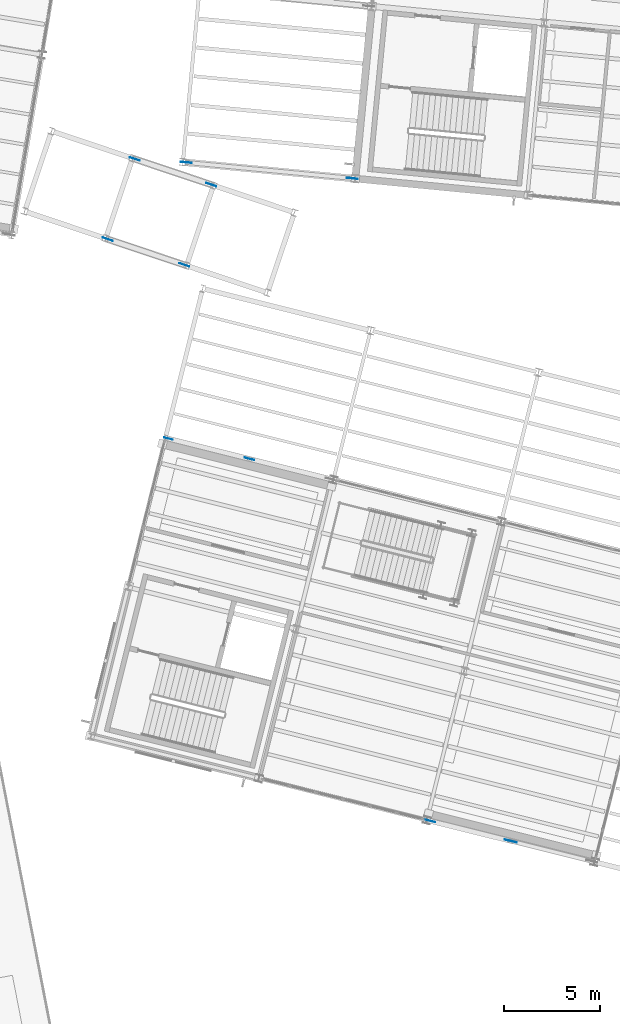
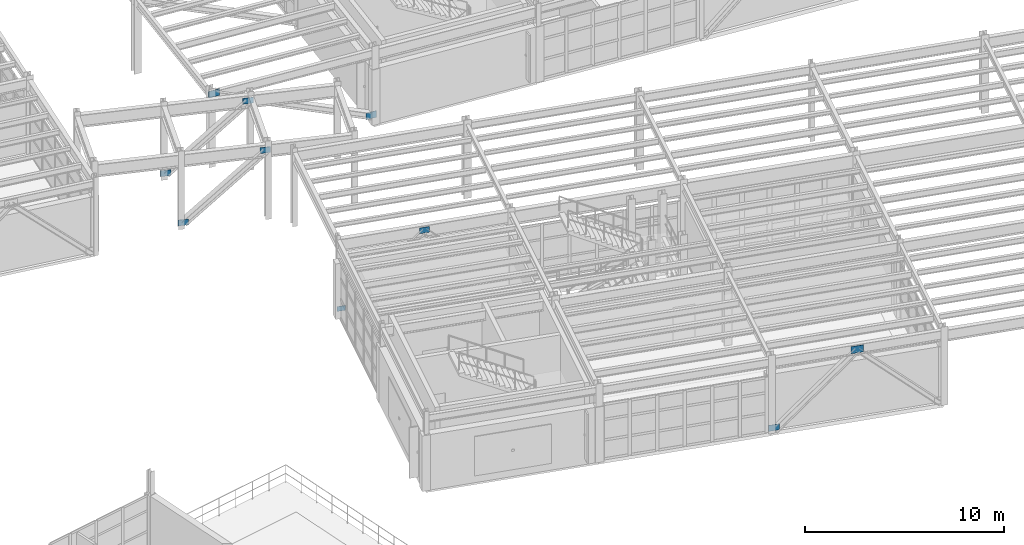
# One storey, part 80 of 109: 10 plates.
"""IFC4 building model written with IfcOpenShell, lengths in metres."""

import ifcopenshell
import ifcopenshell.guid

model = None  # the IFC model being written
_history = None  # IfcOwnerHistory: only IFC2X3 demands one
_inside = {}  # id of a spatial element -> (the spatial element, [elements in it])
_under = {}  # id of a project, library or spatial element -> (it, [spatial elements below it])
_declared = {}  # id of a project -> (the project, [libraries it declares])
_typed = {}  # id of a type object -> (the type object, [elements of that type])
_made_of = {}  # id of a material, layer set ... -> (it, [elements and type objects made of it])


def new_model(schema):
    """Start an empty IFC model of exactly this schema.

    Asked for "IFC4X3", IfcOpenShell would pick the latest addendum, in which some entities
    have other attributes; the version numbers below select the first issue.
    IFC2X3 requires an IfcOwnerHistory on every rooted entity: one is made here for all.
    """
    global model, _history
    if schema == "IFC4X3":
        model = ifcopenshell.file(schema_version=(4, 3, 0, 0))
    else:
        model = ifcopenshell.file(schema=schema)
    _inside.clear()
    _under.clear()
    _declared.clear()
    _typed.clear()
    _made_of.clear()
    _history = None
    if model.schema == "IFC2X3":
        org = make("IfcOrganization", Name="unknown")
        user = make(
            "IfcPersonAndOrganization",
            ThePerson=make("IfcPerson", FamilyName="unknown"),
            TheOrganization=org,
        )
        app = make(
            "IfcApplication",
            ApplicationDeveloper=org,
            Version="unknown",
            ApplicationFullName="unknown",
            ApplicationIdentifier="unknown",
        )
        _history = make(
            "IfcOwnerHistory",
            OwningUser=user,
            OwningApplication=app,
            ChangeAction="ADDED",
            CreationDate=0,
        )
    return model


def make(cls, **values):
    """One entity of the class cls with the attributes given. An attribute that is None is left unset."""
    return model.create_entity(
        cls, **{name: value for name, value in values.items() if value is not None}
    )


def rooted(cls, **values):
    """An entity with a GlobalId (a new one), such as an element, a storey or a relation."""
    return make(cls, GlobalId=ifcopenshell.guid.new(), OwnerHistory=_history, **values)


def si_unit(unit_type, name, prefix=None):
    """IfcSIUnit, for example si_unit("LENGTHUNIT", "METRE", prefix="MILLI")."""
    return make("IfcSIUnit", UnitType=unit_type, Prefix=prefix, Name=name)


def assignment(units):
    """IfcUnitAssignment: the units of a project."""
    return None if units is None else make("IfcUnitAssignment", Units=units)


def point(xyz):
    """IfcCartesianPoint."""
    return None if xyz is None else make("IfcCartesianPoint", Coordinates=xyz)


def direction(xyz):
    """IfcDirection."""
    return None if xyz is None else make("IfcDirection", DirectionRatios=xyz)


def frame(location, z_axis=None, x_axis=None):
    """IfcAxis2Placement3D, a coordinate frame: its origin and axes. An axis left out is left unset."""
    return make(
        "IfcAxis2Placement3D",
        Location=point(location),
        Axis=direction(z_axis),
        RefDirection=direction(x_axis),
    )


def frame_2d(location, x_axis=None):
    """IfcAxis2Placement2D, a coordinate frame in the plane: its origin and x axis."""
    return make(
        "IfcAxis2Placement2D", Location=point(location), RefDirection=direction(x_axis)
    )


def origin():
    """The frame at (0, 0, 0) with its axes left unset."""
    return frame((0.0, 0.0, 0.0))


def origin_2d():
    """The frame at (0, 0) in the plane with its x axis left unset."""
    return frame_2d((0.0, 0.0))


def place(relative_to, where):
    """IfcLocalPlacement: puts the frame where relative to a parent placement (None: the world)."""
    return make(
        "IfcLocalPlacement", PlacementRelTo=relative_to, RelativePlacement=where
    )


def context(
    kind, dimensions, precision=None, world=None, true_north=None, identifier=None
):
    """IfcGeometricRepresentationContext, for example the 3D "Model" context."""
    return make(
        "IfcGeometricRepresentationContext",
        ContextIdentifier=identifier,
        ContextType=kind,
        CoordinateSpaceDimension=dimensions,
        Precision=precision,
        WorldCoordinateSystem=world,
        TrueNorth=true_north,
    )


def subcontext(parent, identifier, kind, view, scale=None):
    """IfcGeometricRepresentationSubContext, for example "Body" below "Model"."""
    return make(
        "IfcGeometricRepresentationSubContext",
        ContextIdentifier=identifier,
        ContextType=kind,
        ParentContext=parent,
        TargetScale=scale,
        TargetView=view,
    )


def project(units=None, contexts=None):
    """IfcProject with its units and contexts."""
    return rooted(
        "IfcProject",
        Name="project",
        RepresentationContexts=contexts,
        UnitsInContext=assignment(units),
    )


def spatial(cls, under=None, at=None, **own):
    """A site, building, storey or space (cls), placed at a placement, below another one or the project."""
    s = rooted(cls, ObjectPlacement=at, **own)
    if under is not None:
        _under.setdefault(under.id(), (under, []))[1].append(s)
    return s


def profile(cls, at=None, kind="AREA", **sizes):
    """A parametric profile (cls). Its sizes go by their IFC names, for example OverallWidth=200.0."""
    return make(cls, ProfileType=kind, Position=at, **sizes)


def rectangle(**sizes):
    """IfcRectangleProfileDef."""
    return profile("IfcRectangleProfileDef", **sizes)


def extrude(swept, where, along, depth):
    """IfcExtrudedAreaSolid: the profile swept, set in the frame where, extruded along a direction by depth."""
    return make(
        "IfcExtrudedAreaSolid",
        SweptArea=swept,
        Position=where,
        ExtrudedDirection=direction(along),
        Depth=depth,
    )


def shape(context_of_items, identifier, shape_type, items):
    """IfcShapeRepresentation: the items that make up one representation, for example the "Body"."""
    return make(
        "IfcShapeRepresentation",
        ContextOfItems=context_of_items,
        RepresentationIdentifier=identifier,
        RepresentationType=shape_type,
        Items=items,
    )


def material(Name=None, Category=None):
    """IfcMaterial."""
    return make("IfcMaterial", Name=Name, Category=Category)


def layer(
    of_material, thickness, ventilated=None, Name=None, Category=None, Priority=None
):
    """IfcMaterialLayer: one layer of a wall or slab, of a material (None: an air gap)."""
    return make(
        "IfcMaterialLayer",
        Material=of_material,
        LayerThickness=thickness,
        IsVentilated=ventilated,
        Name=Name,
        Category=Category,
        Priority=Priority,
    )


def layer_set(layers, Name=None):
    """IfcMaterialLayerSet."""
    return make("IfcMaterialLayerSet", MaterialLayers=layers, LayerSetName=Name)


def made_of(thing, what):
    """Note that an element or type object is made of a material, layer set ...; save() writes the relation."""
    if what is not None:
        _made_of.setdefault(what.id(), (what, []))[1].append(thing)
    return thing


def type_object(cls, material=None, **own):
    """A type object (cls), such as IfcWallType, which elements share."""
    return made_of(rooted(cls, **own), material)


def element(
    cls,
    number,
    at=None,
    inside=None,
    cuts=None,
    type_object=None,
    material=None,
    context=None,
    identifier="Body",
    shape_type=None,
    held_by="IfcProductDefinitionShape",
    body=None,
    shapes=None,
    **own,
):
    """One element of the class cls, such as IfcWall. Its Tag is "e" and its number.

    at: its placement. inside: the storey or other place that contains it. cuts: it is an
    opening in that element (IfcRelVoidsElement). A single representation is given by context,
    identifier, shape_type and body (its items); several are given by shapes. held_by: the class
    of the entity that holds the representations. save() writes the other relations.
    """
    e = rooted(cls, Tag="e%d" % number, ObjectPlacement=at, **own)
    if body is not None:
        shapes = [shape(context, identifier, shape_type, body)]
    if shapes is not None:
        e.Representation = make(held_by, Representations=shapes)
    if inside is not None:
        _inside.setdefault(inside.id(), (inside, []))[1].append(e)
    if cuts is not None:
        rooted(
            "IfcRelVoidsElement", RelatingBuildingElement=cuts, RelatedOpeningElement=e
        )
    if type_object is not None:
        _typed.setdefault(type_object.id(), (type_object, []))[1].append(e)
    return made_of(e, material)


def aggregate(whole, parts):
    """IfcRelAggregates: a whole, such as a stair, and the parts it consists of."""
    return rooted("IfcRelAggregates", RelatingObject=whole, RelatedObjects=parts)


def save(model, path):
    """Write the relations noted so far, then the file.

    IfcRelAggregates (storeys below a building ...), IfcRelContainedInSpatialStructure (elements
    in a storey), IfcRelDefinesByType, IfcRelAssociatesMaterial and IfcRelDeclares: one each for
    every whole, place, type object, material and project.
    """
    for whole, parts in _under.values():
        aggregate(whole, parts)
    for where, things in _inside.values():
        rooted(
            "IfcRelContainedInSpatialStructure",
            RelatedElements=things,
            RelatingStructure=where,
        )
    for kind, things in _typed.values():
        rooted("IfcRelDefinesByType", RelatedObjects=things, RelatingType=kind)
    for what, things in _made_of.values():
        rooted("IfcRelAssociatesMaterial", RelatedObjects=things, RelatingMaterial=what)
    for by, libraries in _declared.values():
        rooted("IfcRelDeclares", RelatingContext=by, RelatedDefinitions=libraries)
    model.write(path)


model = new_model("IFC4")

# Units and contexts
model_context = context("Model", 3, precision=1e-05, world=origin(), true_north=direction((0.0, 1.0)))
body_context = subcontext(model_context, "Body", "Model", "MODEL_VIEW")
ifc_project = project(units=[si_unit("LENGTHUNIT", "METRE"), si_unit("AREAUNIT", "SQUARE_METRE"), si_unit("VOLUMEUNIT", "CUBIC_METRE"), si_unit("PLANEANGLEUNIT", "RADIAN"), si_unit("MASSUNIT", "GRAM", prefix="KILO")], contexts=[model_context])

# Site, building, storey
site_placement = place(None, origin())
site = spatial("IfcSite", under=ifc_project, at=site_placement, CompositionType="ELEMENT")
building_placement = place(site_placement, origin())
building = spatial("IfcBuilding", under=site, at=building_placement, Name="Vireo Bluff Cable Station", CompositionType="ELEMENT")
storey_placement = place(building_placement, frame((0.0, 0.0, 4.800048828125)))
storey = spatial("IfcBuildingStorey", under=building, at=storey_placement, Name="L01", CompositionType="ELEMENT", Elevation=4.800048828125)

# Plates
ifc_material = material(Name="Steel ASTM A572 Gr. 50", Category="steel")
ifc_layer_1 = layer(ifc_material, 0.01708984375, Name="Steel ASTM A572 Gr. 50")
ifc_layer_set_1 = layer_set([ifc_layer_1], Name="Steel ASTM A572 Gr. 50")
plate_type_1 = type_object("IfcPlateType", Name="GUSSET-440X290X17", PredefinedType="USERDEFINED", material=ifc_layer_set_1)
plate_1_placement = place(storey_placement, frame((58.02587890625, 53.486083984375, 0.074951171875), z_axis=(0.0, 0.0, 1.0), x_axis=(0.970295726276, -0.2419218956, 0.0)))
element("IfcPlate", 1, at=plate_1_placement, inside=storey, type_object=plate_type_1, Name="V1 L01 brace base gusset plate 30", ObjectType="GUSSET PLATE", PredefinedType="USERDEFINED", context=body_context, shape_type="SweptSolid", body=[
    extrude(rectangle(XDim=0.43994140625, YDim=0.01708984375, at=origin_2d()), origin(), (0.0, 0.0, 1.0), 0.2900390625),
])
ifc_layer_2 = layer(ifc_material, 0.02099609375, Name="Steel ASTM A572 Gr. 50")
ifc_layer_set_2 = layer_set([ifc_layer_2], Name="Steel ASTM A572 Gr. 50")
plate_type_2 = type_object("IfcPlateType", Name="GUSSET-520X350X21", PredefinedType="USERDEFINED", material=ifc_layer_set_2)
plate_2_placement = place(storey_placement, frame((62.237060546875, 52.43603515625, 4.0048828125), z_axis=(0.0, 0.0, 1.0), x_axis=(0.970295726276, -0.2419218956, 0.0)))
element("IfcPlate", 2, at=plate_2_placement, inside=storey, type_object=plate_type_2, Name="V1 L01 chevron gusset plate 32", ObjectType="GUSSET PLATE", PredefinedType="USERDEFINED", context=body_context, shape_type="SweptSolid", body=[
    extrude(rectangle(XDim=0.52001953125, YDim=0.02099609375, at=origin_2d()), origin(), (0.0, 0.0, 1.0), 0.35009765625),
])
ifc_layer_3 = layer(ifc_material, 0.02197265625, Name="Steel ASTM A572 Gr. 50")
ifc_layer_set_3 = layer_set([ifc_layer_3], Name="Steel ASTM A572 Gr. 50")
plate_type_3 = type_object("IfcPlateType", Name="GUSSET-540X360X22", PredefinedType="USERDEFINED", material=ifc_layer_set_3)
for number, where, z_axis, x_axis, name in (
    (3, (54.873291015625, 63.857177734375, 0.1201171875), (0.0, 0.0, 1.0), (0.948104710889, -0.317958263284, 0.0), "CABIN-TRANSFER skybridge strut end plate 2LA"),
    (4, (58.856689453125, 62.521240234375, 3.9697265625), (0.0, 0.0, 1.0), (0.948104710889, -0.317958263284, 0.0), "CABIN-TRANSFER skybridge strut end plate 2LB"),
    (5, (56.2724609375, 68.02880859375, 0.1201171875), (0.0, 0.0, 1.0), (0.948104710889, -0.317958263284, 0.0), "CABIN-TRANSFER skybridge strut end plate 2RA"),
    (6, (60.255615234375, 66.69287109375, 3.9697265625), (0.0, 0.0, 1.0), (0.948104710889, -0.317958263284, 0.0), "CABIN-TRANSFER skybridge strut end plate 2RB"),
):
    element("IfcPlate", number, at=place(storey_placement, frame(where, z_axis=z_axis, x_axis=x_axis)), inside=storey, type_object=plate_type_3, Name=name, ObjectType="GUSSET PLATE", PredefinedType="USERDEFINED", context=body_context, shape_type="SweptSolid", body=[
        extrude(rectangle(XDim=0.5400390625, YDim=0.02197265625, at=origin_2d()), origin(), (0.0, 0.0, 1.0), 0.360107421875),
    ])
ifc_layer_4 = layer(ifc_material, 0.02294921875, Name="Steel ASTM A572 Gr. 50")
ifc_layer_set_4 = layer_set([ifc_layer_4], Name="Steel ASTM A572 Gr. 50")
plate_type_4 = type_object("IfcPlateType", Name="GUSSET-560X370X23", PredefinedType="USERDEFINED", material=ifc_layer_set_4)
plate_3_placement = place(storey_placement, frame((71.62060546875, 33.606689453125, 0.034912109375), z_axis=(0.0, 0.0, 1.0), x_axis=(0.970295726276, -0.2419218956, 0.0)))
element("IfcPlate", 7, at=plate_3_placement, inside=storey, type_object=plate_type_4, Name="V1 L01 brace base gusset plate 33", ObjectType="GUSSET PLATE", PredefinedType="USERDEFINED", context=body_context, shape_type="SweptSolid", body=[
    extrude(rectangle(XDim=0.56005859375, YDim=0.02294921875, at=origin_2d()), origin(), (0.0, 0.0, 1.0), 0.3701171875),
])
ifc_layer_5 = layer(ifc_material, 0.02392578125, Name="Steel ASTM A572 Gr. 50")
ifc_layer_set_5 = layer_set([ifc_layer_5], Name="Steel ASTM A572 Gr. 50")
plate_type_5 = type_object("IfcPlateType", Name="GUSSET-580X400X24", PredefinedType="USERDEFINED", material=ifc_layer_set_5)
for number, where, z_axis, x_axis, name in (
    (8, (67.5888671875, 67.018310546875, 0.300048828125), (0.0, 0.0, 1.0), (0.995396198367, -0.09584575252, 0.0), "V3 prow raking strut end plate 1A"),
    (9, (58.958740234375, 67.84912109375, 4.14990234375), (0.0, 0.0, 1.0), (0.995396198367, -0.09584575252, 0.0), "V3 prow raking strut end plate 1B"),
):
    element("IfcPlate", number, at=place(storey_placement, frame(where, z_axis=z_axis, x_axis=x_axis)), inside=storey, type_object=plate_type_5, Name=name, ObjectType="GUSSET PLATE", PredefinedType="USERDEFINED", context=body_context, shape_type="SweptSolid", body=[
        extrude(rectangle(XDim=0.580078125, YDim=0.02392578125, at=origin_2d()), origin(), (0.0, 0.0, 1.0), 0.39990234375),
    ])
ifc_layer_6 = layer(ifc_material, 0.027099609375, Name="Steel ASTM A572 Gr. 50")
ifc_layer_set_6 = layer_set([ifc_layer_6], Name="Steel ASTM A572 Gr. 50")
plate_type_6 = type_object("IfcPlateType", Name="GUSSET-640X430X27", PredefinedType="USERDEFINED", material=ifc_layer_set_6)
plate_4_placement = place(storey_placement, frame((75.83154296875, 32.556640625, 3.96484375), z_axis=(0.0, 0.0, 1.0), x_axis=(0.970295726276, -0.2419218956, 0.0)))
element("IfcPlate", 10, at=plate_4_placement, inside=storey, type_object=plate_type_6, Name="V1 L01 chevron gusset plate 35", ObjectType="GUSSET PLATE", PredefinedType="USERDEFINED", context=body_context, shape_type="SweptSolid", body=[
    extrude(rectangle(XDim=0.639892578125, YDim=0.027099609375, at=origin_2d()), origin(), (0.0, 0.0, 1.0), 0.429931640625),
])

save(model, "model.ifc")
